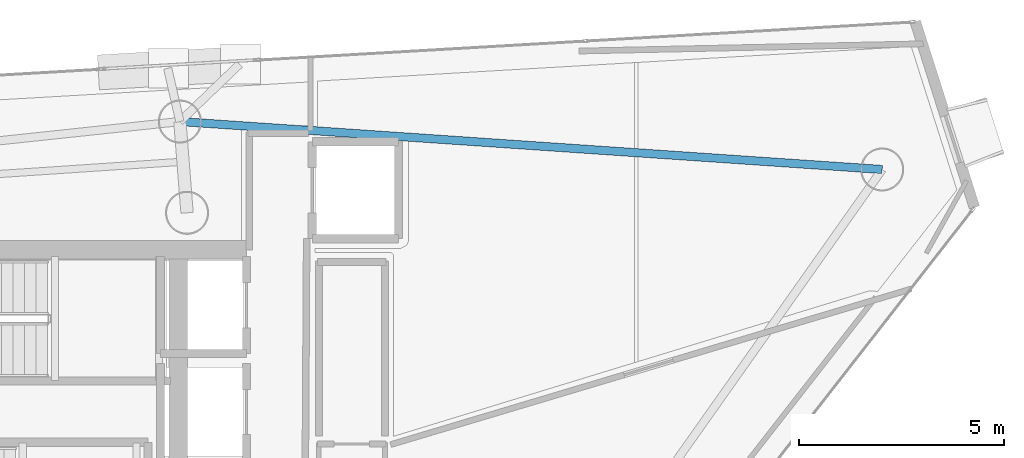
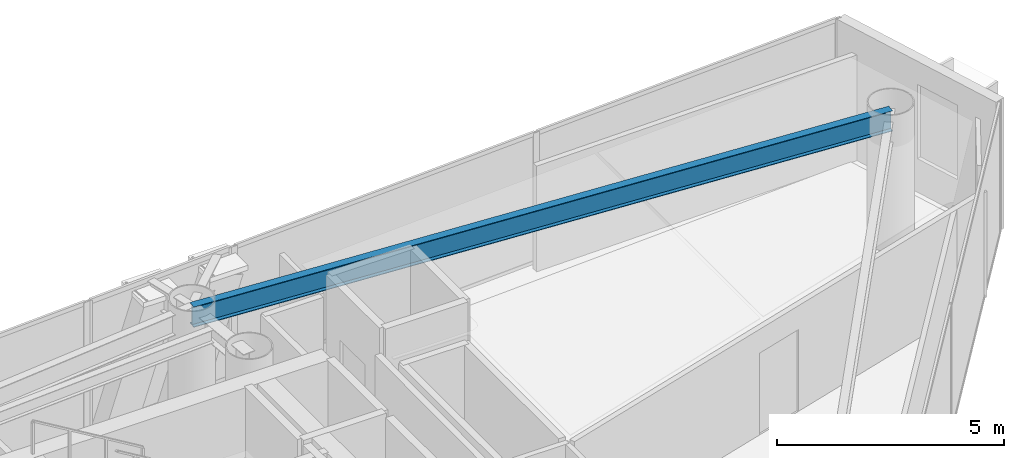
# One storey, part 11 of 18: 1 beam.
"""IFC4 building model written with IfcOpenShell, lengths in metres."""

from ifc_helpers import new_model, si_unit, direction, frame, origin, origin_2d, place, context, subcontext, project, spatial, i_section, extrude, material, material_profile, profile_set, type_object, element, save


model = new_model("IFC4")

# Units and contexts
model_context = context("Model", 3, precision=1e-05, world=origin(), true_north=direction((0.0, 1.0)))
body_context = subcontext(model_context, "Body", "Model", "MODEL_VIEW")
ifc_project = project(units=[si_unit("LENGTHUNIT", "METRE"), si_unit("AREAUNIT", "SQUARE_METRE"), si_unit("VOLUMEUNIT", "CUBIC_METRE"), si_unit("PLANEANGLEUNIT", "RADIAN"), si_unit("MASSUNIT", "GRAM", prefix="KILO")], contexts=[model_context])

# Site, building, storey
site_placement = place(None, origin())
site = spatial("IfcSite", under=ifc_project, at=site_placement, CompositionType="ELEMENT")
building_placement = place(site_placement, origin())
building = spatial("IfcBuilding", under=site, at=building_placement, Name="Qianvela Tower", CompositionType="ELEMENT")
storey_placement = place(building_placement, frame((0.0, 0.0, 264.89990234375)))
storey = spatial("IfcBuildingStorey", under=building, at=storey_placement, Name="L68", CompositionType="ELEMENT", Elevation=264.89990234375)

# Beam
ifc_material = material(Name="Steel Q355B", Category="steel")
ifc_material_profile = material_profile(ifc_material, i_section(OverallWidth=0.199951171875, OverallDepth=0.550048828125, WebThickness=0.010009765625, FlangeThickness=0.01611328125, at=origin_2d()), Name="HN550x200x10x16")
ifc_profile_set = profile_set([ifc_material_profile], Name="Steel Q355B")
beam_type = type_object("IfcBeamType", Name="BM-HN550-GIRD", PredefinedType="BEAM", material=ifc_profile_set)
beam_placement = place(storey_placement, frame((55.33203125, 34.60498046875, 3.2431640625), z_axis=(-0.997677407473, 0.068116008525, 0.0), x_axis=(-0.068116008525, -0.997677407473, 0.0)))
element("IfcBeam", 1, at=beam_placement, inside=storey, type_object=beam_type, Name="L68 Perimeter Ring Spandrel Girder 1", PredefinedType="BEAM", context=body_context, shape_type="SweptSolid", body=[
    extrude(i_section(OverallWidth=0.199951171875, OverallDepth=0.550048828125, WebThickness=0.010009765625, FlangeThickness=0.01611328125, at=origin_2d()), origin(), (0.0, 0.0, 1.0), 17.146728515625),
])

save(model, "model.ifc")
